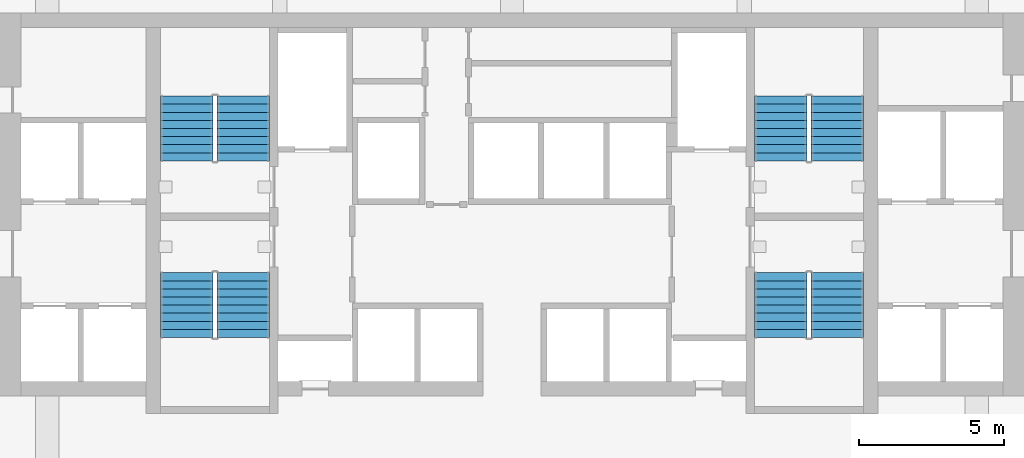
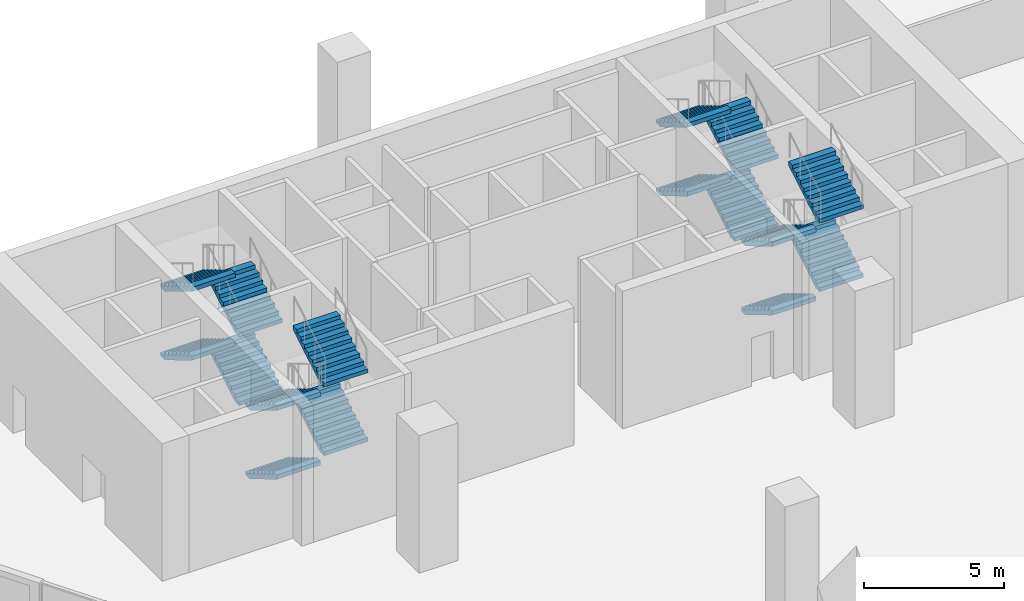
# One storey, part 22 of 25: 16 stair flights, 4 elements without a shape of their own.
"""IFC4 building model written with IfcOpenShell, lengths in metres."""

from ifc_helpers import new_model, si_unit, direction, frame, origin, place, context, subcontext, project, spatial, faceted_brep, source, transform, mapped, material, type_object, element, aggregate, save


model = new_model("IFC4")

# Units and contexts
model_context = context("Model", 3, precision=1e-05, world=origin(), true_north=direction((0.0, 1.0)))
body_context = subcontext(model_context, "Body", "Model", "MODEL_VIEW")
ifc_project = project(units=[si_unit("LENGTHUNIT", "METRE"), si_unit("AREAUNIT", "SQUARE_METRE"), si_unit("VOLUMEUNIT", "CUBIC_METRE"), si_unit("PLANEANGLEUNIT", "RADIAN"), si_unit("MASSUNIT", "GRAM", prefix="KILO")], contexts=[model_context])

# Site, building, storey
site_placement = place(None, origin())
site = spatial("IfcSite", under=ifc_project, at=site_placement, CompositionType="ELEMENT")
building_placement = place(site_placement, origin())
building = spatial("IfcBuilding", under=site, at=building_placement, Name="Calabash Gate Tower", CompositionType="ELEMENT")
storey_placement = place(building_placement, frame((0.0, 0.0, 40.0)))
storey = spatial("IfcBuildingStorey", under=building, at=storey_placement, Name="L05", CompositionType="ELEMENT", Elevation=40.0)

# Stair, stair flights
ifc_material_1 = material(Name="Concrete C40/50", Category="concrete")
stair_type = type_object("IfcStairType", Name="Exit stair 36 risers of 166.7 mm", PredefinedType="HALF_TURN_STAIR", material=ifc_material_1)
stair_1_placement = place(storey_placement, origin())
stair_1 = element("IfcStair", 1, at=stair_1_placement, inside=storey, type_object=stair_type, Name="L05 Exit stair ST1", PredefinedType="HALF_TURN_STAIR")
ifc_material_2 = material(Name="Concrete C40/50", Category="concrete")
stair_flight_type = type_object("IfcStairFlightType", Name="Exit stair flight SFL", PredefinedType="STRAIGHT", material=ifc_material_2)
shared_shape = source(origin(), body_context, "Body", "Brep", [
    faceted_brep([(-0.0009765625, -0.89990234375, 0.0), (0.292236328125, -0.89990234375, 0.0), (2.23291015625, -0.89990234375, 1.15869140625), (-0.0009765625, 0.89990234375, 0.0), (2.23291015625, 0.89990234375, 1.15869140625), (0.292236328125, 0.89990234375, 0.0), (2.23291015625, -0.89990234375, 1.34521484375), (2.23193359375, -0.89990234375, 1.34521484375), (2.23193359375, 0.89990234375, 1.34521484375), (2.23291015625, 0.89990234375, 1.34521484375), (2.23193359375, -0.89990234375, 1.333251953125), (2.23193359375, 0.89990234375, 1.333251953125), (1.952880859375, -0.89990234375, 1.333251953125), (1.952880859375, 0.89990234375, 1.333251953125), (1.952880859375, -0.89990234375, 1.166748046875), (1.952880859375, 0.89990234375, 1.166748046875), (1.674072265625, -0.89990234375, 1.166748046875), (1.674072265625, 0.89990234375, 1.166748046875), (1.674072265625, -0.89990234375, 1.0), (1.674072265625, 0.89990234375, 1.0), (1.39501953125, -0.89990234375, 1.0), (1.39501953125, -0.89990234375, 0.833251953125), (1.39501953125, 0.89990234375, 0.833251953125), (1.39501953125, 0.89990234375, 1.0), (1.115966796875, -0.89990234375, 0.833251953125), (1.115966796875, -0.89990234375, 0.666748046875), (1.115966796875, 0.89990234375, 0.666748046875), (1.115966796875, 0.89990234375, 0.833251953125), (0.8369140625, -0.89990234375, 0.666748046875), (0.8369140625, -0.89990234375, 0.5), (0.8369140625, 0.89990234375, 0.5), (0.8369140625, 0.89990234375, 0.666748046875), (0.55810546875, -0.89990234375, 0.5), (0.55810546875, -0.89990234375, 0.333251953125), (0.55810546875, 0.89990234375, 0.333251953125), (0.55810546875, 0.89990234375, 0.5), (0.279052734375, -0.89990234375, 0.333251953125), (0.279052734375, -0.89990234375, 0.166748046875), (0.279052734375, 0.89990234375, 0.166748046875), (0.279052734375, 0.89990234375, 0.333251953125), (-0.0009765625, -0.89990234375, 0.166748046875), (-0.0009765625, 0.89990234375, 0.166748046875), (0.292236328125, -0.360107421875, 0.0), (2.23291015625, -0.360107421875, 1.15869140625), (0.292236328125, -0.239990234375, 0.0), (2.23291015625, -0.239990234375, 1.15869140625), (0.292236328125, -0.1201171875, 0.0), (2.23291015625, -0.1201171875, 1.15869140625), (0.292236328125, 0.0, 0.0), (2.23291015625, 0.0, 1.15869140625), (0.292236328125, 0.1201171875, 0.0), (2.23291015625, 0.1201171875, 1.15869140625), (0.292236328125, 0.239990234375, 0.0), (2.23291015625, 0.239990234375, 1.15869140625), (0.292236328125, 0.360107421875, 0.0), (2.23291015625, 0.360107421875, 1.15869140625), (2.23291015625, -0.360107421875, 1.34521484375), (2.23291015625, -0.239990234375, 1.34521484375), (2.23291015625, -0.1201171875, 1.34521484375), (2.23291015625, 0.0, 1.34521484375), (2.23291015625, 0.1201171875, 1.34521484375), (2.23291015625, 0.239990234375, 1.34521484375), (2.23291015625, 0.360107421875, 1.34521484375), (2.23193359375, -0.360107421875, 1.34521484375), (2.23193359375, -0.239990234375, 1.34521484375), (2.23193359375, -0.1201171875, 1.34521484375), (2.23193359375, 0.0, 1.34521484375), (2.23193359375, 0.1201171875, 1.34521484375), (2.23193359375, 0.239990234375, 1.34521484375), (2.23193359375, 0.360107421875, 1.34521484375), (2.23193359375, -0.360107421875, 1.333251953125), (2.23193359375, -0.239990234375, 1.333251953125), (2.23193359375, -0.1201171875, 1.333251953125), (2.23193359375, 0.0, 1.333251953125), (2.23193359375, 0.1201171875, 1.333251953125), (2.23193359375, 0.239990234375, 1.333251953125), (2.23193359375, 0.360107421875, 1.333251953125), (1.952880859375, -0.360107421875, 1.333251953125), (1.952880859375, -0.239990234375, 1.333251953125), (1.952880859375, -0.1201171875, 1.333251953125), (1.952880859375, 0.0, 1.333251953125), (1.952880859375, 0.1201171875, 1.333251953125), (1.952880859375, 0.239990234375, 1.333251953125), (1.952880859375, 0.360107421875, 1.333251953125), (1.952880859375, -0.360107421875, 1.166748046875), (1.952880859375, -0.239990234375, 1.166748046875), (1.952880859375, -0.1201171875, 1.166748046875), (1.952880859375, 0.0, 1.166748046875), (1.952880859375, 0.1201171875, 1.166748046875), (1.952880859375, 0.239990234375, 1.166748046875), (1.952880859375, 0.360107421875, 1.166748046875), (1.674072265625, -0.360107421875, 1.166748046875), (1.674072265625, -0.239990234375, 1.166748046875), (1.674072265625, -0.1201171875, 1.166748046875), (1.674072265625, 0.0, 1.166748046875), (1.674072265625, 0.1201171875, 1.166748046875), (1.674072265625, 0.239990234375, 1.166748046875), (1.674072265625, 0.360107421875, 1.166748046875), (1.674072265625, -0.360107421875, 1.0), (1.674072265625, -0.239990234375, 1.0), (1.674072265625, -0.1201171875, 1.0), (1.674072265625, 0.0, 1.0), (1.674072265625, 0.1201171875, 1.0), (1.674072265625, 0.239990234375, 1.0), (1.674072265625, 0.360107421875, 1.0), (1.39501953125, -0.360107421875, 1.0), (1.39501953125, -0.239990234375, 1.0), (1.39501953125, -0.1201171875, 1.0), (1.39501953125, 0.0, 1.0), (1.39501953125, 0.1201171875, 1.0), (1.39501953125, 0.239990234375, 1.0), (1.39501953125, 0.360107421875, 1.0), (1.39501953125, -0.360107421875, 0.833251953125), (1.39501953125, -0.239990234375, 0.833251953125), (1.39501953125, -0.1201171875, 0.833251953125), (1.39501953125, 0.0, 0.833251953125), (1.39501953125, 0.1201171875, 0.833251953125), (1.39501953125, 0.239990234375, 0.833251953125), (1.39501953125, 0.360107421875, 0.833251953125), (1.115966796875, -0.360107421875, 0.833251953125), (1.115966796875, -0.239990234375, 0.833251953125), (1.115966796875, -0.1201171875, 0.833251953125), (1.115966796875, 0.0, 0.833251953125), (1.115966796875, 0.1201171875, 0.833251953125), (1.115966796875, 0.239990234375, 0.833251953125), (1.115966796875, 0.360107421875, 0.833251953125), (1.115966796875, -0.360107421875, 0.666748046875), (1.115966796875, -0.239990234375, 0.666748046875), (1.115966796875, -0.1201171875, 0.666748046875), (1.115966796875, 0.0, 0.666748046875), (1.115966796875, 0.1201171875, 0.666748046875), (1.115966796875, 0.239990234375, 0.666748046875), (1.115966796875, 0.360107421875, 0.666748046875), (0.8369140625, -0.360107421875, 0.666748046875), (0.8369140625, -0.239990234375, 0.666748046875), (0.8369140625, -0.1201171875, 0.666748046875), (0.8369140625, 0.0, 0.666748046875), (0.8369140625, 0.1201171875, 0.666748046875), (0.8369140625, 0.239990234375, 0.666748046875), (0.8369140625, 0.360107421875, 0.666748046875), (0.8369140625, -0.360107421875, 0.5), (0.8369140625, -0.239990234375, 0.5), (0.8369140625, -0.1201171875, 0.5), (0.8369140625, 0.0, 0.5), (0.8369140625, 0.1201171875, 0.5), (0.8369140625, 0.239990234375, 0.5), (0.8369140625, 0.360107421875, 0.5), (0.55810546875, -0.360107421875, 0.5), (0.55810546875, -0.239990234375, 0.5), (0.55810546875, -0.1201171875, 0.5), (0.55810546875, 0.0, 0.5), (0.55810546875, 0.1201171875, 0.5), (0.55810546875, 0.239990234375, 0.5), (0.55810546875, 0.360107421875, 0.5), (0.55810546875, -0.360107421875, 0.333251953125), (0.55810546875, -0.239990234375, 0.333251953125), (0.55810546875, -0.1201171875, 0.333251953125), (0.55810546875, 0.0, 0.333251953125), (0.55810546875, 0.1201171875, 0.333251953125), (0.55810546875, 0.239990234375, 0.333251953125), (0.55810546875, 0.360107421875, 0.333251953125), (0.279052734375, -0.360107421875, 0.333251953125), (0.279052734375, -0.239990234375, 0.333251953125), (0.279052734375, -0.1201171875, 0.333251953125), (0.279052734375, 0.0, 0.333251953125), (0.279052734375, 0.1201171875, 0.333251953125), (0.279052734375, 0.239990234375, 0.333251953125), (0.279052734375, 0.360107421875, 0.333251953125), (0.279052734375, -0.360107421875, 0.166748046875), (0.279052734375, -0.239990234375, 0.166748046875), (0.279052734375, -0.1201171875, 0.166748046875), (0.279052734375, 0.0, 0.166748046875), (0.279052734375, 0.1201171875, 0.166748046875), (0.279052734375, 0.239990234375, 0.166748046875), (0.279052734375, 0.360107421875, 0.166748046875), (-0.0009765625, -0.360107421875, 0.166748046875), (-0.0009765625, -0.239990234375, 0.166748046875), (-0.0009765625, -0.1201171875, 0.166748046875), (-0.0009765625, 0.0, 0.166748046875), (-0.0009765625, 0.1201171875, 0.166748046875), (-0.0009765625, 0.239990234375, 0.166748046875), (-0.0009765625, 0.360107421875, 0.166748046875), (-0.0009765625, -0.360107421875, 0.0), (-0.0009765625, -0.239990234375, 0.0), (-0.0009765625, -0.1201171875, 0.0), (-0.0009765625, 0.0, 0.0), (-0.0009765625, 0.1201171875, 0.0), (-0.0009765625, 0.239990234375, 0.0), (-0.0009765625, 0.360107421875, 0.0)], [[[0, 1, 2]], [[3, 4, 5]], [[2, 6, 7]], [[4, 8, 9]], [[2, 7, 10]], [[4, 11, 8]], [[2, 10, 12]], [[4, 13, 11]], [[2, 12, 14]], [[4, 15, 13]], [[2, 14, 16]], [[4, 17, 15]], [[2, 16, 18]], [[4, 19, 17]], [[18, 20, 21]], [[19, 22, 23]], [[2, 18, 21]], [[4, 22, 19]], [[21, 24, 25]], [[22, 26, 27]], [[2, 21, 25]], [[4, 26, 22]], [[25, 28, 29]], [[26, 30, 31]], [[2, 25, 29]], [[4, 30, 26]], [[29, 32, 33]], [[30, 34, 35]], [[2, 29, 33]], [[4, 34, 30]], [[33, 36, 37]], [[34, 38, 39]], [[2, 33, 37]], [[4, 38, 34]], [[0, 2, 37]], [[3, 38, 4]], [[37, 40, 0]], [[38, 3, 41]], [[1, 42, 2]], [[42, 43, 2]], [[42, 44, 43]], [[44, 45, 43]], [[44, 46, 45]], [[46, 47, 45]], [[46, 48, 47]], [[48, 49, 47]], [[48, 50, 51]], [[48, 51, 49]], [[50, 52, 53]], [[50, 53, 51]], [[52, 54, 55]], [[52, 55, 53]], [[54, 5, 4]], [[54, 4, 55]], [[2, 43, 6]], [[43, 56, 6]], [[43, 45, 56]], [[45, 57, 56]], [[45, 47, 57]], [[47, 58, 57]], [[47, 49, 58]], [[49, 59, 58]], [[49, 51, 60]], [[49, 60, 59]], [[51, 53, 61]], [[51, 61, 60]], [[53, 55, 62]], [[53, 62, 61]], [[55, 4, 9]], [[55, 9, 62]], [[6, 56, 7]], [[56, 63, 7]], [[56, 57, 63]], [[57, 64, 63]], [[57, 58, 64]], [[58, 65, 64]], [[58, 59, 65]], [[59, 66, 65]], [[59, 60, 67]], [[59, 67, 66]], [[60, 61, 68]], [[60, 68, 67]], [[61, 62, 69]], [[61, 69, 68]], [[62, 9, 8]], [[62, 8, 69]], [[7, 63, 10]], [[63, 70, 10]], [[63, 64, 70]], [[64, 71, 70]], [[64, 65, 71]], [[65, 72, 71]], [[65, 66, 72]], [[66, 73, 72]], [[66, 67, 74]], [[66, 74, 73]], [[67, 68, 75]], [[67, 75, 74]], [[68, 69, 76]], [[68, 76, 75]], [[69, 8, 11]], [[69, 11, 76]], [[10, 70, 12]], [[70, 77, 12]], [[70, 71, 77]], [[71, 78, 77]], [[71, 72, 78]], [[72, 79, 78]], [[72, 73, 79]], [[73, 80, 79]], [[73, 74, 81]], [[73, 81, 80]], [[74, 75, 82]], [[74, 82, 81]], [[75, 76, 83]], [[75, 83, 82]], [[76, 11, 13]], [[76, 13, 83]], [[12, 77, 14]], [[77, 84, 14]], [[77, 78, 84]], [[78, 85, 84]], [[78, 79, 85]], [[79, 86, 85]], [[79, 80, 86]], [[80, 87, 86]], [[80, 81, 88]], [[80, 88, 87]], [[81, 82, 89]], [[81, 89, 88]], [[82, 83, 90]], [[82, 90, 89]], [[83, 13, 15]], [[83, 15, 90]], [[14, 84, 16]], [[84, 91, 16]], [[84, 85, 91]], [[85, 92, 91]], [[85, 86, 92]], [[86, 93, 92]], [[86, 87, 93]], [[87, 94, 93]], [[87, 88, 95]], [[87, 95, 94]], [[88, 89, 96]], [[88, 96, 95]], [[89, 90, 97]], [[89, 97, 96]], [[90, 15, 17]], [[90, 17, 97]], [[16, 91, 18]], [[91, 98, 18]], [[91, 92, 98]], [[92, 99, 98]], [[92, 93, 99]], [[93, 100, 99]], [[93, 94, 100]], [[94, 101, 100]], [[94, 95, 102]], [[94, 102, 101]], [[95, 96, 103]], [[95, 103, 102]], [[96, 97, 104]], [[96, 104, 103]], [[97, 17, 19]], [[97, 19, 104]], [[18, 98, 20]], [[98, 105, 20]], [[98, 99, 105]], [[99, 106, 105]], [[99, 100, 106]], [[100, 107, 106]], [[100, 101, 107]], [[101, 108, 107]], [[101, 102, 109]], [[101, 109, 108]], [[102, 103, 110]], [[102, 110, 109]], [[103, 104, 111]], [[103, 111, 110]], [[104, 19, 23]], [[104, 23, 111]], [[20, 105, 21]], [[105, 112, 21]], [[105, 106, 112]], [[106, 113, 112]], [[106, 107, 113]], [[107, 114, 113]], [[107, 108, 114]], [[108, 115, 114]], [[108, 109, 116]], [[108, 116, 115]], [[109, 110, 117]], [[109, 117, 116]], [[110, 111, 118]], [[110, 118, 117]], [[111, 23, 22]], [[111, 22, 118]], [[21, 112, 24]], [[112, 119, 24]], [[112, 113, 119]], [[113, 120, 119]], [[113, 114, 120]], [[114, 121, 120]], [[114, 115, 121]], [[115, 122, 121]], [[115, 116, 123]], [[115, 123, 122]], [[116, 117, 124]], [[116, 124, 123]], [[117, 118, 125]], [[117, 125, 124]], [[118, 22, 27]], [[118, 27, 125]], [[24, 119, 25]], [[119, 126, 25]], [[119, 120, 126]], [[120, 127, 126]], [[120, 121, 127]], [[121, 128, 127]], [[121, 122, 128]], [[122, 129, 128]], [[122, 123, 130]], [[122, 130, 129]], [[123, 124, 131]], [[123, 131, 130]], [[124, 125, 132]], [[124, 132, 131]], [[125, 27, 26]], [[125, 26, 132]], [[25, 126, 28]], [[126, 133, 28]], [[126, 127, 133]], [[127, 134, 133]], [[127, 128, 134]], [[128, 135, 134]], [[128, 129, 135]], [[129, 136, 135]], [[129, 130, 137]], [[129, 137, 136]], [[130, 131, 138]], [[130, 138, 137]], [[131, 132, 139]], [[131, 139, 138]], [[132, 26, 31]], [[132, 31, 139]], [[28, 133, 29]], [[133, 140, 29]], [[133, 134, 140]], [[134, 141, 140]], [[134, 135, 141]], [[135, 142, 141]], [[135, 136, 142]], [[136, 143, 142]], [[136, 137, 144]], [[136, 144, 143]], [[137, 138, 145]], [[137, 145, 144]], [[138, 139, 146]], [[138, 146, 145]], [[139, 31, 30]], [[139, 30, 146]], [[29, 140, 32]], [[140, 147, 32]], [[140, 141, 147]], [[141, 148, 147]], [[141, 142, 148]], [[142, 149, 148]], [[142, 143, 149]], [[143, 150, 149]], [[143, 144, 151]], [[143, 151, 150]], [[144, 145, 152]], [[144, 152, 151]], [[145, 146, 153]], [[145, 153, 152]], [[146, 30, 35]], [[146, 35, 153]], [[32, 147, 33]], [[147, 154, 33]], [[147, 148, 154]], [[148, 155, 154]], [[148, 149, 155]], [[149, 156, 155]], [[149, 150, 156]], [[150, 157, 156]], [[150, 151, 158]], [[150, 158, 157]], [[151, 152, 159]], [[151, 159, 158]], [[152, 153, 160]], [[152, 160, 159]], [[153, 35, 34]], [[153, 34, 160]], [[33, 154, 36]], [[154, 161, 36]], [[154, 155, 161]], [[155, 162, 161]], [[155, 156, 162]], [[156, 163, 162]], [[156, 157, 163]], [[157, 164, 163]], [[157, 158, 165]], [[157, 165, 164]], [[158, 159, 166]], [[158, 166, 165]], [[159, 160, 167]], [[159, 167, 166]], [[160, 34, 39]], [[160, 39, 167]], [[36, 161, 37]], [[161, 168, 37]], [[161, 162, 168]], [[162, 169, 168]], [[162, 163, 169]], [[163, 170, 169]], [[163, 164, 170]], [[164, 171, 170]], [[164, 165, 172]], [[164, 172, 171]], [[165, 166, 173]], [[165, 173, 172]], [[166, 167, 174]], [[166, 174, 173]], [[167, 39, 38]], [[167, 38, 174]], [[37, 168, 40]], [[168, 175, 40]], [[168, 169, 175]], [[169, 176, 175]], [[169, 170, 176]], [[170, 177, 176]], [[170, 171, 177]], [[171, 178, 177]], [[171, 172, 179]], [[171, 179, 178]], [[172, 173, 180]], [[172, 180, 179]], [[173, 174, 181]], [[173, 181, 180]], [[174, 38, 41]], [[174, 41, 181]], [[40, 175, 0]], [[175, 182, 0]], [[175, 176, 182]], [[176, 183, 182]], [[176, 177, 183]], [[177, 184, 183]], [[177, 178, 184]], [[178, 185, 184]], [[178, 179, 186]], [[178, 186, 185]], [[179, 180, 187]], [[179, 187, 186]], [[180, 181, 188]], [[180, 188, 187]], [[181, 41, 3]], [[181, 3, 188]], [[0, 182, 1]], [[182, 42, 1]], [[182, 183, 42]], [[183, 44, 42]], [[183, 184, 44]], [[184, 46, 44]], [[184, 185, 46]], [[185, 48, 46]], [[185, 186, 50]], [[185, 50, 48]], [[186, 187, 52]], [[186, 52, 50]], [[187, 188, 54]], [[187, 54, 52]], [[188, 3, 5]], [[188, 5, 54]]]),
])
stair_flight_1_placement = place(storey_placement, frame((-9.25, 13.95263671875, 0.0), z_axis=(0.0, 0.0, 1.0), x_axis=(0.0, 1.0, 0.0)))
stair_flight_1 = element("IfcStairFlight", 2, at=stair_flight_1_placement, type_object=stair_flight_type, Name="ST1 flight 1", NumberOfRisers=9, NumberOfTreads=8, PredefinedType="STRAIGHT", RiserHeight=0.166666667, TreadLength=0.279, context=body_context, shape_type="MappedRepresentation", body=[
    mapped(shared_shape, transform((0.0, 0.0, 0.0), scale=1.0)),
])
stair_flight_2_placement = place(storey_placement, frame((-11.199951171875, 16.1845703125, 1.5), z_axis=(0.0, 0.0, 1.0), x_axis=(0.0, -1.0, 0.0)))
stair_flight_2 = element("IfcStairFlight", 3, at=stair_flight_2_placement, type_object=stair_flight_type, Name="ST1 flight 2", NumberOfRisers=9, NumberOfTreads=8, PredefinedType="STRAIGHT", RiserHeight=0.166666667, TreadLength=0.279, context=body_context, shape_type="MappedRepresentation", body=[
    mapped(shared_shape, transform((0.0, 0.0, 0.0), scale=1.0)),
])
stair_flight_3_placement = place(storey_placement, frame((-9.25, 13.95263671875, 3.0), z_axis=(0.0, 0.0, 1.0), x_axis=(0.0, 1.0, 0.0)))
stair_flight_3 = element("IfcStairFlight", 4, at=stair_flight_3_placement, type_object=stair_flight_type, Name="ST1 flight 3", NumberOfRisers=9, NumberOfTreads=8, PredefinedType="STRAIGHT", RiserHeight=0.166666667, TreadLength=0.279, context=body_context, shape_type="MappedRepresentation", body=[
    mapped(shared_shape, transform((0.0, 0.0, 0.0), scale=1.0)),
])
stair_flight_4_placement = place(storey_placement, frame((-11.199951171875, 16.1845703125, 4.5), z_axis=(0.0, 0.0, 1.0), x_axis=(0.0, -1.0, 0.0)))
stair_flight_4 = element("IfcStairFlight", 5, at=stair_flight_4_placement, type_object=stair_flight_type, Name="ST1 flight 4", NumberOfRisers=9, NumberOfTreads=8, PredefinedType="STRAIGHT", RiserHeight=0.166666667, TreadLength=0.279, context=body_context, shape_type="MappedRepresentation", body=[
    mapped(shared_shape, transform((0.0, 0.0, 0.0), scale=1.0)),
])
aggregate(stair_1, [stair_flight_1, stair_flight_2, stair_flight_3, stair_flight_4])

stair_2_placement = place(storey_placement, origin())
stair_2 = element("IfcStair", 6, at=stair_2_placement, inside=storey, type_object=stair_type, Name="L05 Exit stair ST2", PredefinedType="HALF_TURN_STAIR")
stair_flight_5_placement = place(storey_placement, frame((-11.199951171875, 10.1025390625, 0.0), z_axis=(0.0, 0.0, 1.0), x_axis=(0.0, -1.0, 0.0)))
stair_flight_5 = element("IfcStairFlight", 7, at=stair_flight_5_placement, type_object=stair_flight_type, Name="ST2 flight 1", NumberOfRisers=9, NumberOfTreads=8, PredefinedType="STRAIGHT", RiserHeight=0.166666667, TreadLength=0.279, context=body_context, shape_type="MappedRepresentation", body=[
    mapped(shared_shape, transform((0.0, 0.0, 0.0), scale=1.0)),
])
stair_flight_6_placement = place(storey_placement, frame((-9.25, 7.87060546875, 1.5), z_axis=(0.0, 0.0, 1.0), x_axis=(0.0, 1.0, 0.0)))
stair_flight_6 = element("IfcStairFlight", 8, at=stair_flight_6_placement, type_object=stair_flight_type, Name="ST2 flight 2", NumberOfRisers=9, NumberOfTreads=8, PredefinedType="STRAIGHT", RiserHeight=0.166666667, TreadLength=0.279, context=body_context, shape_type="MappedRepresentation", body=[
    mapped(shared_shape, transform((0.0, 0.0, 0.0), scale=1.0)),
])
stair_flight_7_placement = place(storey_placement, frame((-11.199951171875, 10.1025390625, 3.0), z_axis=(0.0, 0.0, 1.0), x_axis=(0.0, -1.0, 0.0)))
stair_flight_7 = element("IfcStairFlight", 9, at=stair_flight_7_placement, type_object=stair_flight_type, Name="ST2 flight 3", NumberOfRisers=9, NumberOfTreads=8, PredefinedType="STRAIGHT", RiserHeight=0.166666667, TreadLength=0.279, context=body_context, shape_type="MappedRepresentation", body=[
    mapped(shared_shape, transform((0.0, 0.0, 0.0), scale=1.0)),
])
stair_flight_8_placement = place(storey_placement, frame((-9.25, 7.87060546875, 4.5), z_axis=(0.0, 0.0, 1.0), x_axis=(0.0, 1.0, 0.0)))
stair_flight_8 = element("IfcStairFlight", 10, at=stair_flight_8_placement, type_object=stair_flight_type, Name="ST2 flight 4", NumberOfRisers=9, NumberOfTreads=8, PredefinedType="STRAIGHT", RiserHeight=0.166666667, TreadLength=0.279, context=body_context, shape_type="MappedRepresentation", body=[
    mapped(shared_shape, transform((0.0, 0.0, 0.0), scale=1.0)),
])
aggregate(stair_2, [stair_flight_5, stair_flight_6, stair_flight_7, stair_flight_8])

stair_3_placement = place(storey_placement, origin())
stair_3 = element("IfcStair", 11, at=stair_3_placement, inside=storey, type_object=stair_type, Name="L05 Exit stair ST3", PredefinedType="HALF_TURN_STAIR")
stair_flight_9_placement = place(storey_placement, frame((11.199951171875, 13.95263671875, 0.0), z_axis=(0.0, 0.0, 1.0), x_axis=(0.0, 1.0, 0.0)))
stair_flight_9 = element("IfcStairFlight", 12, at=stair_flight_9_placement, type_object=stair_flight_type, Name="ST3 flight 1", NumberOfRisers=9, NumberOfTreads=8, PredefinedType="STRAIGHT", RiserHeight=0.166666667, TreadLength=0.279, context=body_context, shape_type="MappedRepresentation", body=[
    mapped(shared_shape, transform((0.0, 0.0, 0.0), scale=1.0)),
])
stair_flight_10_placement = place(storey_placement, frame((9.25, 16.1845703125, 1.5), z_axis=(0.0, 0.0, 1.0), x_axis=(0.0, -1.0, 0.0)))
stair_flight_10 = element("IfcStairFlight", 13, at=stair_flight_10_placement, type_object=stair_flight_type, Name="ST3 flight 2", NumberOfRisers=9, NumberOfTreads=8, PredefinedType="STRAIGHT", RiserHeight=0.166666667, TreadLength=0.279, context=body_context, shape_type="MappedRepresentation", body=[
    mapped(shared_shape, transform((0.0, 0.0, 0.0), scale=1.0)),
])
stair_flight_11_placement = place(storey_placement, frame((11.199951171875, 13.95263671875, 3.0), z_axis=(0.0, 0.0, 1.0), x_axis=(0.0, 1.0, 0.0)))
stair_flight_11 = element("IfcStairFlight", 14, at=stair_flight_11_placement, type_object=stair_flight_type, Name="ST3 flight 3", NumberOfRisers=9, NumberOfTreads=8, PredefinedType="STRAIGHT", RiserHeight=0.166666667, TreadLength=0.279, context=body_context, shape_type="MappedRepresentation", body=[
    mapped(shared_shape, transform((0.0, 0.0, 0.0), scale=1.0)),
])
stair_flight_12_placement = place(storey_placement, frame((9.25, 16.1845703125, 4.5), z_axis=(0.0, 0.0, 1.0), x_axis=(0.0, -1.0, 0.0)))
stair_flight_12 = element("IfcStairFlight", 15, at=stair_flight_12_placement, type_object=stair_flight_type, Name="ST3 flight 4", NumberOfRisers=9, NumberOfTreads=8, PredefinedType="STRAIGHT", RiserHeight=0.166666667, TreadLength=0.279, context=body_context, shape_type="MappedRepresentation", body=[
    mapped(shared_shape, transform((0.0, 0.0, 0.0), scale=1.0)),
])
aggregate(stair_3, [stair_flight_9, stair_flight_10, stair_flight_11, stair_flight_12])

stair_4_placement = place(storey_placement, origin())
stair_4 = element("IfcStair", 16, at=stair_4_placement, inside=storey, type_object=stair_type, Name="L05 Exit stair ST4", PredefinedType="HALF_TURN_STAIR")
stair_flight_13_placement = place(storey_placement, frame((9.25, 10.1025390625, 0.0), z_axis=(0.0, 0.0, 1.0), x_axis=(0.0, -1.0, 0.0)))
stair_flight_13 = element("IfcStairFlight", 17, at=stair_flight_13_placement, type_object=stair_flight_type, Name="ST4 flight 1", NumberOfRisers=9, NumberOfTreads=8, PredefinedType="STRAIGHT", RiserHeight=0.166666667, TreadLength=0.279, context=body_context, shape_type="MappedRepresentation", body=[
    mapped(shared_shape, transform((0.0, 0.0, 0.0), scale=1.0)),
])
stair_flight_14_placement = place(storey_placement, frame((11.199951171875, 7.87060546875, 1.5), z_axis=(0.0, 0.0, 1.0), x_axis=(0.0, 1.0, 0.0)))
stair_flight_14 = element("IfcStairFlight", 18, at=stair_flight_14_placement, type_object=stair_flight_type, Name="ST4 flight 2", NumberOfRisers=9, NumberOfTreads=8, PredefinedType="STRAIGHT", RiserHeight=0.166666667, TreadLength=0.279, context=body_context, shape_type="MappedRepresentation", body=[
    mapped(shared_shape, transform((0.0, 0.0, 0.0), scale=1.0)),
])
stair_flight_15_placement = place(storey_placement, frame((9.25, 10.1025390625, 3.0), z_axis=(0.0, 0.0, 1.0), x_axis=(0.0, -1.0, 0.0)))
stair_flight_15 = element("IfcStairFlight", 19, at=stair_flight_15_placement, type_object=stair_flight_type, Name="ST4 flight 3", NumberOfRisers=9, NumberOfTreads=8, PredefinedType="STRAIGHT", RiserHeight=0.166666667, TreadLength=0.279, context=body_context, shape_type="MappedRepresentation", body=[
    mapped(shared_shape, transform((0.0, 0.0, 0.0), scale=1.0)),
])
stair_flight_16_placement = place(storey_placement, frame((11.199951171875, 7.87060546875, 4.5), z_axis=(0.0, 0.0, 1.0), x_axis=(0.0, 1.0, 0.0)))
stair_flight_16 = element("IfcStairFlight", 20, at=stair_flight_16_placement, type_object=stair_flight_type, Name="ST4 flight 4", NumberOfRisers=9, NumberOfTreads=8, PredefinedType="STRAIGHT", RiserHeight=0.166666667, TreadLength=0.279, context=body_context, shape_type="MappedRepresentation", body=[
    mapped(shared_shape, transform((0.0, 0.0, 0.0), scale=1.0)),
])
aggregate(stair_4, [stair_flight_13, stair_flight_14, stair_flight_15, stair_flight_16])

save(model, "model.ifc")
